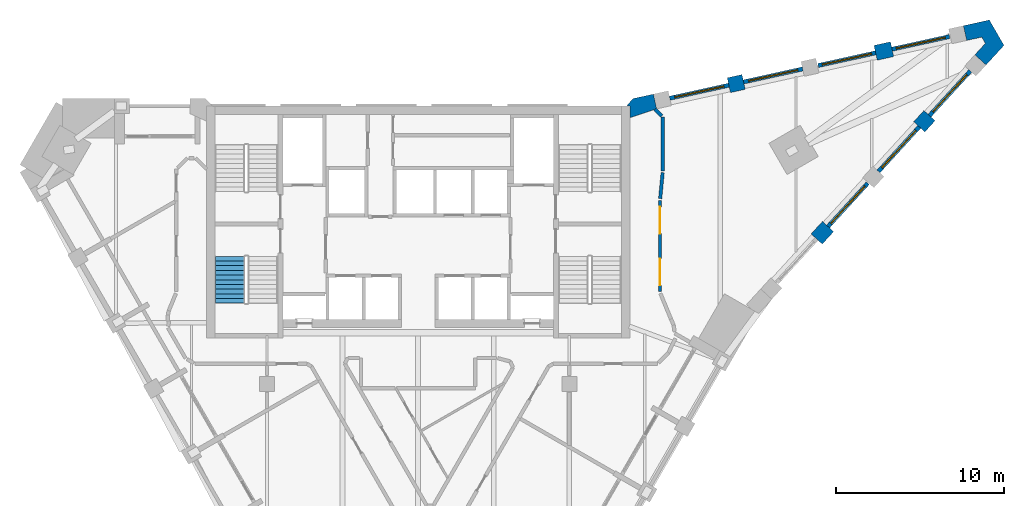
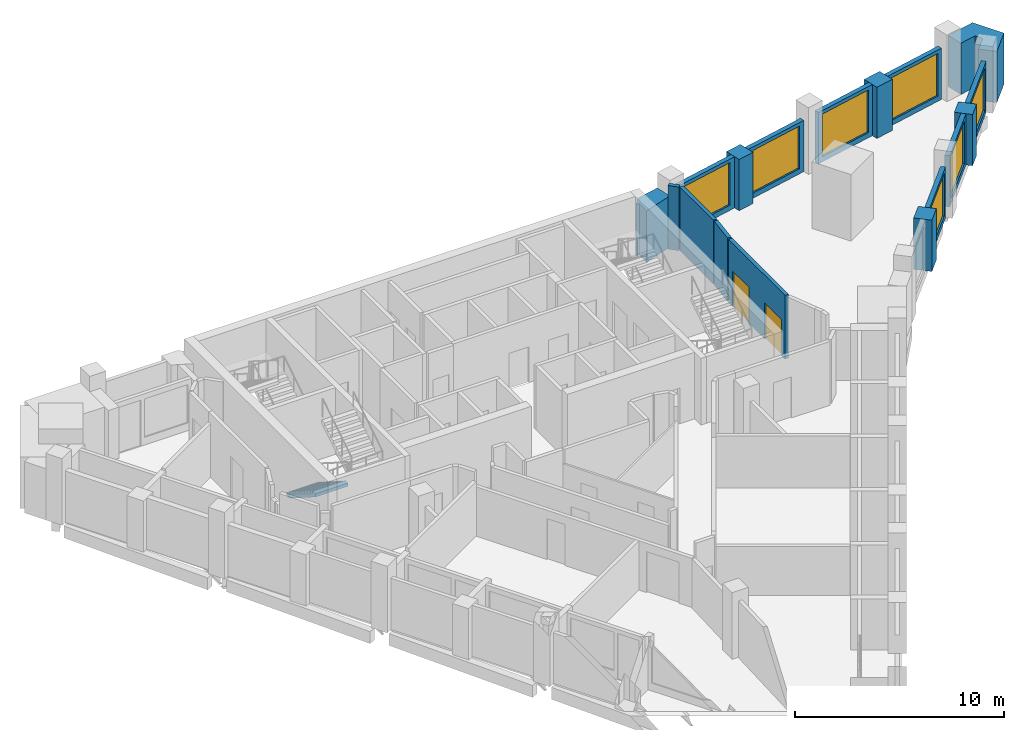
# One storey, part 7 of 9: 17 walls, 7 windows, 2 doors, 1 stair flight, 9 openings, 1 element without a shape of its own.
"""IFC4 building model written with IfcOpenShell, lengths in metres."""

from ifc_helpers import new_model, si_unit, direction, frame, frame_2d, origin, place, context, subcontext, project, spatial, polyline, rectangle, outline, extrude, faceted_brep, source, transform, mapped, material, layer, layer_set, type_object, element, fill, aggregate, save


model = new_model("IFC4")

# Units and contexts
model_context = context("Model", 3, precision=1e-05, world=origin(), true_north=direction((0.0, 1.0)))
body_context = subcontext(model_context, "Body", "Model", "MODEL_VIEW")
ifc_project = project(units=[si_unit("LENGTHUNIT", "METRE"), si_unit("AREAUNIT", "SQUARE_METRE"), si_unit("VOLUMEUNIT", "CUBIC_METRE"), si_unit("PLANEANGLEUNIT", "RADIAN"), si_unit("MASSUNIT", "GRAM", prefix="KILO")], contexts=[model_context])

# Site, building, storey
site_placement = place(None, origin())
site = spatial("IfcSite", under=ifc_project, at=site_placement, CompositionType="ELEMENT")
building_placement = place(site_placement, origin())
building = spatial("IfcBuilding", under=site, at=building_placement, Name="Calabash Gate Tower", CompositionType="ELEMENT")
storey_placement = place(building_placement, frame((0.0, 0.0, 283.300048828125)))
storey = spatial("IfcBuildingStorey", under=building, at=storey_placement, Name="L68", CompositionType="ELEMENT", Elevation=283.300048828125)

# Walls
ifc_material_1 = material(Name="Terracotta brick masonry, exposed face", Category="masonry")
ifc_layer_1 = layer(ifc_material_1, 0.89990234375)
ifc_layer_set_1 = layer_set([ifc_layer_1], Name="Brick end wall 900")
wall_type_1 = type_object("IfcWallType", Name="Brick end wall 900", PredefinedType="SOLIDWALL", material=ifc_layer_set_1)
wall_1_placement = place(storey_placement, frame((23.728515625, 11.135009765625, 0.0), z_axis=(0.0, 0.0, 1.0), x_axis=(0.674788120713, 0.738011512203, 0.0)))
element("IfcWall", 1, at=wall_1_placement, inside=storey, type_object=wall_type_1, Name="Brick pier S20 wedge3.1", PredefinedType="SOLIDWALL", context=body_context, shape_type="SweptSolid", body=[
    extrude(rectangle(XDim=1.00390625, YDim=0.89990234375, at=frame_2d((0.501953125, 0.0))), origin(), (0.0, 0.0, 1.0), 3.0),
])
wall_2_placement = place(storey_placement, frame((30.44482421875, 18.47900390625, 0.0), z_axis=(0.0, 0.0, 1.0), x_axis=(-0.674938051731, -0.737874397391, 0.0)))
element("IfcWall", 2, at=wall_2_placement, inside=storey, type_object=wall_type_1, Name="Brick pier S20 wedge3.3", PredefinedType="SOLIDWALL", context=body_context, shape_type="SweptSolid", body=[
    extrude(rectangle(XDim=0.89990234375, YDim=0.89990234375, at=frame_2d((0.449951171875, 0.0))), origin(), (0.0, 0.0, 1.0), 3.0),
])
wall_3_placement = place(storey_placement, frame((28.21728515625, 22.436279296875, 0.0), z_axis=(0.0, 0.0, 1.0), x_axis=(-0.97656888558, -0.215205045752, 0.0)))
element("IfcWall", 3, at=wall_3_placement, inside=storey, type_object=wall_type_1, Name="Brick pier S20 wedge5.1", PredefinedType="SOLIDWALL", context=body_context, shape_type="SweptSolid", body=[
    extrude(rectangle(XDim=1.00390625, YDim=0.89990234375, at=frame_2d((0.501953125, 0.0))), origin(), (0.0, 0.0, 1.0), 3.0),
])
wall_4_placement = place(storey_placement, frame((18.4990234375, 20.2919921875, 0.0), z_axis=(0.0, 0.0, 1.0), x_axis=(0.976473402733, 0.215637876437, 0.0)))
element("IfcWall", 4, at=wall_4_placement, inside=storey, type_object=wall_type_1, Name="Brick pier S20 wedge5.3", PredefinedType="SOLIDWALL", context=body_context, shape_type="SweptSolid", body=[
    extrude(rectangle(XDim=0.900146484375, YDim=0.89990234375, at=frame_2d((0.4501953125, 0.0))), origin(), (0.0, 0.0, 1.0), 3.0),
])
wall_5_placement = place(storey_placement, origin())
element("IfcWall", 5, at=wall_5_placement, inside=storey, type_object=wall_type_1, Name="Brick end wall S20 2", PredefinedType="SOLIDWALL", context=body_context, shape_type="SweptSolid", body=[
    extrude(outline(polyline([(33.813720703125, 21.496337890625), (34.881591796875, 22.663818359375), (34.0087890625, 24.175048828125), (32.4638671875, 23.834228515625), (32.65771484375, 22.955322265625), (33.55908203125, 23.154296875), (33.7724609375, 22.78466796875), (33.149658203125, 22.103759765625), (33.813720703125, 21.496337890625)])), origin(), (0.0, 0.0, 1.0), 3.0),
])
wall_6_placement = place(storey_placement, origin())
element("IfcWall", 6, at=wall_6_placement, inside=storey, type_object=wall_type_1, Name="Brick end wall S20 3", PredefinedType="SOLIDWALL", context=body_context, shape_type="SweptSolid", body=[
    extrude(outline(polyline([(14.201416015625, 18.883056640625), (14.0078125, 19.761962890625), (12.784423828125, 19.491943359375), (12.410400390625, 19.052490234375), (12.60009765625, 19.052490234375), (12.60009765625, 18.351806640625), (14.201416015625, 18.883056640625)])), origin(), (0.0, 0.0, 1.0), 3.0),
])

# Wall, openings, doors
ifc_material_2 = material(Name="Gypsum board on steel studs, mineral wool", Category="steel")
ifc_layer_2 = layer(ifc_material_2, 0.199951171875)
ifc_layer_set_2 = layer_set([ifc_layer_2], Name="Partition 200 gypsum board EI 60")
wall_type_2 = type_object("IfcWallType", Name="Partition 200 gypsum board EI 60", PredefinedType="PARTITIONING", material=ifc_layer_set_2)
wall_7_placement = place(storey_placement, frame((14.400390625, 8.017333984375, 0.0), z_axis=(0.0, 0.0, 1.0), x_axis=(0.0, 1.0, 0.0)))
wall_7 = element("IfcWall", 7, at=wall_7_placement, inside=storey, type_object=wall_type_2, Name="Partition", PredefinedType="PARTITIONING", context=body_context, shape_type="SweptSolid", body=[
    extrude(rectangle(XDim=5.419189453125, YDim=0.199951171875, at=frame_2d((2.70947265625, 0.0))), origin(), (0.0, 0.0, 1.0), 3.72998046875),
])
opening_1_placement = place(wall_7_placement, frame((3.435302734375, 0.0, 0.0)))
opening_1 = element("IfcOpeningElement", 8, at=opening_1_placement, cuts=wall_7, Name="Opening 67-68-006", PredefinedType="OPENING", context=body_context, shape_type="SweptSolid", body=[
    extrude(rectangle(XDim=1.60009765625, YDim=2.10009765625, at=frame_2d((0.800048828125, 1.050048828125))), frame((0.0, 0.10986328125, 0.0), z_axis=(0.0, -1.0, 0.0), x_axis=(1.0, 0.0, 0.0)), (0.0, 0.0, 1.0), 0.219970703125),
])
opening_2_placement = place(wall_7_placement, frame((0.35009765625, 0.0, 0.0)))
opening_2 = element("IfcOpeningElement", 9, at=opening_2_placement, cuts=wall_7, Name="Opening 67-68-007", PredefinedType="OPENING", context=body_context, shape_type="SweptSolid", body=[
    extrude(rectangle(XDim=1.60009765625, YDim=2.10009765625, at=frame_2d((0.800048828125, 1.050048828125))), frame((0.0, 0.10986328125, 0.0), z_axis=(0.0, -1.0, 0.0), x_axis=(1.0, 0.0, 0.0)), (0.0, 0.0, 1.0), 0.219970703125),
])
ifc_material_3 = material(Name="Steel fire door set with fire-resisting glazing", Category="steel")
door_type = type_object("IfcDoorType", Name="LD1 Lounge double door 1600x2100", OperationType="NOTDEFINED", PredefinedType="DOOR", material=ifc_material_3)
door_1_placement = place(opening_1_placement, origin())
door_1 = element("IfcDoor", 10, at=door_1_placement, inside=storey, type_object=door_type, Name="Lounge double door", OperationType="DOUBLE_DOOR_SINGLE_SWING", OverallHeight=2.10009765625, OverallWidth=1.60009765625, PredefinedType="DOOR", context=body_context, shape_type="SweptSolid", body=[
    extrude(rectangle(XDim=1.60009765625, YDim=2.10009765625, at=frame_2d((0.800048828125, 1.050048828125))), frame((0.0, 0.02490234375, 0.0), z_axis=(0.0, -1.0, 0.0), x_axis=(1.0, 0.0, 0.0)), (0.0, 0.0, 1.0), 0.050048828125),
])
fill(opening_1, door_1)
door_2_placement = place(opening_2_placement, origin())
door_2 = element("IfcDoor", 11, at=door_2_placement, inside=storey, type_object=door_type, Name="Lounge double door", OperationType="DOUBLE_DOOR_SINGLE_SWING", OverallHeight=2.10009765625, OverallWidth=1.60009765625, PredefinedType="DOOR", context=body_context, shape_type="SweptSolid", body=[
    extrude(rectangle(XDim=1.60009765625, YDim=2.10009765625, at=frame_2d((0.800048828125, 1.050048828125))), frame((0.0, 0.02490234375, 0.0), z_axis=(0.0, -1.0, 0.0), x_axis=(1.0, 0.0, 0.0)), (0.0, 0.0, 1.0), 0.050048828125),
])
fill(opening_2, door_2)

# Walls
wall_8_placement = place(storey_placement, frame((14.409912109375, 13.5361328125, 0.0), z_axis=(0.0, 0.0, 1.0), x_axis=(0.094453682086, 0.9955292572, 0.0)))
element("IfcWall", 12, at=wall_8_placement, inside=storey, type_object=wall_type_2, Name="Partition", PredefinedType="PARTITIONING", context=body_context, shape_type="SweptSolid", body=[
    extrude(rectangle(XDim=1.555908203125, YDim=0.199951171875, at=frame_2d((0.77783203125, 0.0))), origin(), (0.0, 0.0, 1.0), 3.72998046875),
])
wall_9_placement = place(storey_placement, frame((14.566162109375, 18.392578125, 0.0), z_axis=(0.0, 0.0, 1.0), x_axis=(0.0, -1.0, 0.0)))
element("IfcWall", 13, at=wall_9_placement, inside=storey, type_object=wall_type_2, Name="Partition", PredefinedType="PARTITIONING", context=body_context, shape_type="SweptSolid", body=[
    extrude(rectangle(XDim=3.2080078125, YDim=0.199951171875, at=frame_2d((1.60400390625, 0.0))), origin(), (0.0, 0.0, 1.0), 3.72998046875),
])
wall_10_placement = place(storey_placement, frame((14.107177734375, 18.851806640625, 0.0), z_axis=(0.0, 0.0, 1.0), x_axis=(0.707106781187, -0.707106781187, 0.0)))
element("IfcWall", 14, at=wall_10_placement, inside=storey, type_object=wall_type_2, Name="Partition", PredefinedType="PARTITIONING", context=body_context, shape_type="SweptSolid", body=[
    extrude(rectangle(XDim=0.54931640625, YDim=0.199951171875, at=frame_2d((0.274658203125, 0.0))), origin(), (0.0, 0.0, 1.0), 3.72998046875),
])

# Wall, opening, window
ifc_material_4 = material(Name="Aluminium framed window wall with insulated spandrel", Category="aluminium")
ifc_layer_3 = layer(ifc_material_4, 0.25)
ifc_layer_set_3 = layer_set([ifc_layer_3], Name="Prow window wall 250")
wall_type_3 = type_object("IfcWallType", Name="Prow window wall 250", PredefinedType="ELEMENTEDWALL", material=ifc_layer_set_3)
wall_11_placement = place(storey_placement, frame((24.40478515625, 11.87451171875, 0.0), z_axis=(0.0, 0.0, 1.0), x_axis=(0.67487449122, 0.737932531537, 0.0)))
wall_11 = element("IfcWall", 15, at=wall_11_placement, inside=storey, type_object=wall_type_3, Name="Prow window wall S20 wedge3.2", PredefinedType="ELEMENTEDWALL", context=body_context, shape_type="SweptSolid", body=[
    extrude(rectangle(XDim=3.5, YDim=0.25, at=frame_2d((1.75, 0.0))), origin(), (0.0, 0.0, 1.0), 3.0),
])
opening_3_placement = place(wall_11_placement, frame((0.25, 0.0, 0.300048828125)))
opening_3 = element("IfcOpeningElement", 16, at=opening_3_placement, cuts=wall_11, Name="Opening WP2", PredefinedType="OPENING", context=body_context, shape_type="SweptSolid", body=[
    extrude(rectangle(XDim=3.0, YDim=2.5, at=frame_2d((1.5, 1.25))), frame((0.0, 0.135009765625, 0.0), z_axis=(0.0, -1.0, 0.0), x_axis=(1.0, 0.0, 0.0)), (0.0, 0.0, 1.0), 0.27001953125),
])
ifc_material_5 = material(Name="Anodised aluminium frame, bronze finish, impact-rated laminated clear glazing", Category="aluminium")
window_type = type_object("IfcWindowType", Name="Window WP2 3000x2500", PartitioningType="DOUBLE_PANEL_VERTICAL", PredefinedType="WINDOW", material=ifc_material_5)
window_1_placement = place(opening_3_placement, origin())
window_1 = element("IfcWindow", 17, at=window_1_placement, inside=storey, type_object=window_type, Name="Prow window WP2 S20 wedge3.2", OverallHeight=2.5, OverallWidth=3.0, PartitioningType="SINGLE_PANEL", PredefinedType="WINDOW", context=body_context, shape_type="SweptSolid", body=[
    extrude(rectangle(XDim=3.0, YDim=2.5, at=frame_2d((1.5, 1.25))), frame((0.0, 0.030029296875, 0.0), z_axis=(0.0, -1.0, 0.0), x_axis=(1.0, 0.0, 0.0)), (0.0, 0.0, 1.0), 0.06005859375),
])
fill(opening_3, window_1)

wall_12_placement = place(storey_placement, frame((27.407958984375, 15.158203125, 0.0), z_axis=(0.0, 0.0, 1.0), x_axis=(0.674833575111, 0.737969949187, 0.0)))
wall_12 = element("IfcWall", 18, at=wall_12_placement, inside=storey, type_object=wall_type_3, Name="Prow window wall S20 wedge3.3", PredefinedType="ELEMENTEDWALL", context=body_context, shape_type="SweptSolid", body=[
    extrude(rectangle(XDim=3.60009765625, YDim=0.25, at=frame_2d((1.800048828125, 0.0))), origin(), (0.0, 0.0, 1.0), 3.0),
])
opening_4_placement = place(wall_12_placement, frame((0.300048828125, 0.0, 0.300048828125)))
opening_4 = element("IfcOpeningElement", 19, at=opening_4_placement, cuts=wall_12, Name="Opening WP2", PredefinedType="OPENING", context=body_context, shape_type="SweptSolid", body=[
    extrude(rectangle(XDim=3.0, YDim=2.5, at=frame_2d((1.5, 1.25))), frame((0.0, 0.135009765625, 0.0), z_axis=(0.0, -1.0, 0.0), x_axis=(1.0, 0.0, 0.0)), (0.0, 0.0, 1.0), 0.27001953125),
])
window_2_placement = place(opening_4_placement, origin())
window_2 = element("IfcWindow", 20, at=window_2_placement, inside=storey, type_object=window_type, Name="Prow window WP2 S20 wedge3.3", OverallHeight=2.5, OverallWidth=3.0, PartitioningType="SINGLE_PANEL", PredefinedType="WINDOW", context=body_context, shape_type="SweptSolid", body=[
    extrude(rectangle(XDim=3.0, YDim=2.5, at=frame_2d((1.5, 1.25))), frame((0.0, 0.030029296875, 0.0), z_axis=(0.0, -1.0, 0.0), x_axis=(1.0, 0.0, 0.0)), (0.0, 0.0, 1.0), 0.06005859375),
])
fill(opening_4, window_2)

wall_13_placement = place(storey_placement, frame((30.44482421875, 18.47900390625, 0.0), z_axis=(0.0, 0.0, 1.0), x_axis=(0.674833575111, 0.737969949187, 0.0)))
wall_13 = element("IfcWall", 21, at=wall_13_placement, inside=storey, type_object=wall_type_3, Name="Prow window wall S20 wedge3.4", PredefinedType="ELEMENTEDWALL", context=body_context, shape_type="SweptSolid", body=[
    extrude(rectangle(XDim=3.60009765625, YDim=0.25, at=frame_2d((1.800048828125, 0.0))), origin(), (0.0, 0.0, 1.0), 3.0),
])
opening_5_placement = place(wall_13_placement, frame((0.300048828125, 0.0, 0.300048828125)))
opening_5 = element("IfcOpeningElement", 22, at=opening_5_placement, cuts=wall_13, Name="Opening WP2", PredefinedType="OPENING", context=body_context, shape_type="SweptSolid", body=[
    extrude(rectangle(XDim=3.0, YDim=2.5, at=frame_2d((1.5, 1.25))), frame((0.0, 0.135009765625, 0.0), z_axis=(0.0, -1.0, 0.0), x_axis=(1.0, 0.0, 0.0)), (0.0, 0.0, 1.0), 0.27001953125),
])
window_3_placement = place(opening_5_placement, origin())
window_3 = element("IfcWindow", 23, at=window_3_placement, inside=storey, type_object=window_type, Name="Prow window WP2 S20 wedge3.4", OverallHeight=2.5, OverallWidth=3.0, PartitioningType="SINGLE_PANEL", PredefinedType="WINDOW", context=body_context, shape_type="SweptSolid", body=[
    extrude(rectangle(XDim=3.0, YDim=2.5, at=frame_2d((1.5, 1.25))), frame((0.0, 0.030029296875, 0.0), z_axis=(0.0, -1.0, 0.0), x_axis=(1.0, 0.0, 0.0)), (0.0, 0.0, 1.0), 0.06005859375),
])
fill(opening_5, window_3)

wall_14_placement = place(storey_placement, frame((31.633056640625, 23.190185546875, 0.0), z_axis=(0.0, 0.0, 1.0), x_axis=(-0.976509313763, -0.215475196101, 0.0)))
wall_14 = element("IfcWall", 24, at=wall_14_placement, inside=storey, type_object=wall_type_3, Name="Prow window wall S20 wedge5.1", PredefinedType="ELEMENTEDWALL", context=body_context, shape_type="SweptSolid", body=[
    extrude(rectangle(XDim=3.5, YDim=0.25, at=frame_2d((1.75, 0.0))), origin(), (0.0, 0.0, 1.0), 3.0),
])
opening_6_placement = place(wall_14_placement, frame((0.25, 0.0, 0.300048828125)))
opening_6 = element("IfcOpeningElement", 25, at=opening_6_placement, cuts=wall_14, Name="Opening WP2", PredefinedType="OPENING", context=body_context, shape_type="SweptSolid", body=[
    extrude(rectangle(XDim=3.0, YDim=2.5, at=frame_2d((1.5, 1.25))), frame((0.0, 0.135009765625, 0.0), z_axis=(0.0, -1.0, 0.0), x_axis=(1.0, 0.0, 0.0)), (0.0, 0.0, 1.0), 0.27001953125),
])
window_4_placement = place(opening_6_placement, origin())
window_4 = element("IfcWindow", 26, at=window_4_placement, inside=storey, type_object=window_type, Name="Prow window WP2 S20 wedge5.1", OverallHeight=2.5, OverallWidth=3.0, PartitioningType="SINGLE_PANEL", PredefinedType="WINDOW", context=body_context, shape_type="SweptSolid", body=[
    extrude(rectangle(XDim=3.0, YDim=2.5, at=frame_2d((1.5, 1.25))), frame((0.0, 0.030029296875, 0.0), z_axis=(0.0, -1.0, 0.0), x_axis=(1.0, 0.0, 0.0)), (0.0, 0.0, 1.0), 0.06005859375),
])
fill(opening_6, window_4)

wall_15_placement = place(storey_placement, frame((27.23876953125, 22.220458984375, 0.0), z_axis=(0.0, 0.0, 1.0), x_axis=(-0.976509313763, -0.215475196101, 0.0)))
wall_15 = element("IfcWall", 27, at=wall_15_placement, inside=storey, type_object=wall_type_3, Name="Prow window wall S20 wedge5.2", PredefinedType="ELEMENTEDWALL", context=body_context, shape_type="SweptSolid", body=[
    extrude(rectangle(XDim=3.5, YDim=0.25, at=frame_2d((1.75, 0.0))), origin(), (0.0, 0.0, 1.0), 3.0),
])
opening_7_placement = place(wall_15_placement, frame((0.25, 0.0, 0.300048828125)))
opening_7 = element("IfcOpeningElement", 28, at=opening_7_placement, cuts=wall_15, Name="Opening WP2", PredefinedType="OPENING", context=body_context, shape_type="SweptSolid", body=[
    extrude(rectangle(XDim=3.0, YDim=2.5, at=frame_2d((1.5, 1.25))), frame((0.0, 0.135009765625, 0.0), z_axis=(0.0, -1.0, 0.0), x_axis=(1.0, 0.0, 0.0)), (0.0, 0.0, 1.0), 0.27001953125),
])
window_5_placement = place(opening_7_placement, origin())
window_5 = element("IfcWindow", 29, at=window_5_placement, inside=storey, type_object=window_type, Name="Prow window WP2 S20 wedge5.2", OverallHeight=2.5, OverallWidth=3.0, PartitioningType="SINGLE_PANEL", PredefinedType="WINDOW", context=body_context, shape_type="SweptSolid", body=[
    extrude(rectangle(XDim=3.0, YDim=2.5, at=frame_2d((1.5, 1.25))), frame((0.0, 0.030029296875, 0.0), z_axis=(0.0, -1.0, 0.0), x_axis=(1.0, 0.0, 0.0)), (0.0, 0.0, 1.0), 0.06005859375),
])
fill(opening_7, window_5)

wall_16_placement = place(storey_placement, frame((22.893310546875, 21.26171875, 0.0), z_axis=(0.0, 0.0, 1.0), x_axis=(-0.976513072969, -0.215458159096, 0.0)))
wall_16 = element("IfcWall", 30, at=wall_16_placement, inside=storey, type_object=wall_type_3, Name="Prow window wall S20 wedge5.3", PredefinedType="ELEMENTEDWALL", context=body_context, shape_type="SweptSolid", body=[
    extrude(rectangle(XDim=3.599853515625, YDim=0.25, at=frame_2d((1.7998046875, 0.0))), origin(), (0.0, 0.0, 1.0), 3.0),
])
opening_8_placement = place(wall_16_placement, frame((0.300048828125, 0.0, 0.300048828125)))
opening_8 = element("IfcOpeningElement", 31, at=opening_8_placement, cuts=wall_16, Name="Opening WP2", PredefinedType="OPENING", context=body_context, shape_type="SweptSolid", body=[
    extrude(rectangle(XDim=3.0, YDim=2.5, at=frame_2d((1.5, 1.25))), frame((0.0, 0.135009765625, 0.0), z_axis=(0.0, -1.0, 0.0), x_axis=(1.0, 0.0, 0.0)), (0.0, 0.0, 1.0), 0.27001953125),
])
window_6_placement = place(opening_8_placement, origin())
window_6 = element("IfcWindow", 32, at=window_6_placement, inside=storey, type_object=window_type, Name="Prow window WP2 S20 wedge5.3", OverallHeight=2.5, OverallWidth=3.0, PartitioningType="SINGLE_PANEL", PredefinedType="WINDOW", context=body_context, shape_type="SweptSolid", body=[
    extrude(rectangle(XDim=3.0, YDim=2.5, at=frame_2d((1.5, 1.25))), frame((0.0, 0.030029296875, 0.0), z_axis=(0.0, -1.0, 0.0), x_axis=(1.0, 0.0, 0.0)), (0.0, 0.0, 1.0), 0.06005859375),
])
fill(opening_8, window_6)

wall_17_placement = place(storey_placement, frame((18.4990234375, 20.2919921875, 0.0), z_axis=(0.0, 0.0, 1.0), x_axis=(-0.976513072969, -0.215458159096, 0.0)))
wall_17 = element("IfcWall", 33, at=wall_17_placement, inside=storey, type_object=wall_type_3, Name="Prow window wall S20 wedge5.4", PredefinedType="ELEMENTEDWALL", context=body_context, shape_type="SweptSolid", body=[
    extrude(rectangle(XDim=3.599853515625, YDim=0.25, at=frame_2d((1.7998046875, 0.0))), origin(), (0.0, 0.0, 1.0), 3.0),
])
opening_9_placement = place(wall_17_placement, frame((0.300048828125, 0.0, 0.300048828125)))
opening_9 = element("IfcOpeningElement", 34, at=opening_9_placement, cuts=wall_17, Name="Opening WP2", PredefinedType="OPENING", context=body_context, shape_type="SweptSolid", body=[
    extrude(rectangle(XDim=3.0, YDim=2.5, at=frame_2d((1.5, 1.25))), frame((0.0, 0.135009765625, 0.0), z_axis=(0.0, -1.0, 0.0), x_axis=(1.0, 0.0, 0.0)), (0.0, 0.0, 1.0), 0.27001953125),
])
window_7_placement = place(opening_9_placement, origin())
window_7 = element("IfcWindow", 35, at=window_7_placement, inside=storey, type_object=window_type, Name="Prow window WP2 S20 wedge5.4", OverallHeight=2.5, OverallWidth=3.0, PartitioningType="SINGLE_PANEL", PredefinedType="WINDOW", context=body_context, shape_type="SweptSolid", body=[
    extrude(rectangle(XDim=3.0, YDim=2.5, at=frame_2d((1.5, 1.25))), frame((0.0, 0.030029296875, 0.0), z_axis=(0.0, -1.0, 0.0), x_axis=(1.0, 0.0, 0.0)), (0.0, 0.0, 1.0), 0.06005859375),
])
fill(opening_9, window_7)

# Stair, stair flight
ifc_material_6 = material(Name="Concrete C40/50", Category="concrete")
stair_type = type_object("IfcStairType", Name="Exit stair 22 risers of 177.3 mm", PredefinedType="HALF_TURN_STAIR", material=ifc_material_6)
stair_placement = place(storey_placement, origin())
stair = element("IfcStair", 36, at=stair_placement, inside=storey, type_object=stair_type, Name="L68 Exit stair ST2", PredefinedType="HALF_TURN_STAIR")
ifc_material_7 = material(Name="Concrete C40/50", Category="concrete")
stair_flight_type = type_object("IfcStairFlightType", Name="Exit stair flight SFL", PredefinedType="STRAIGHT", material=ifc_material_7)
shared_shape = source(origin(), body_context, "Body", "Brep", [
    faceted_brep([(-0.0009765625, -0.89990234375, 0.0), (0.279541015625, -0.89990234375, 0.0), (2.791015625, -0.89990234375, 1.59521484375), (-0.0009765625, 0.89990234375, 0.0), (2.791015625, 0.89990234375, 1.59521484375), (0.279541015625, 0.89990234375, 0.0), (2.791015625, -0.89990234375, 1.78466796875), (2.7900390625, -0.89990234375, 1.78466796875), (2.7900390625, 0.89990234375, 1.78466796875), (2.791015625, 0.89990234375, 1.78466796875), (2.7900390625, -0.89990234375, 1.772705078125), (2.7900390625, 0.89990234375, 1.772705078125), (2.510986328125, -0.89990234375, 1.772705078125), (2.510986328125, 0.89990234375, 1.772705078125), (2.510986328125, -0.89990234375, 1.595458984375), (2.510986328125, 0.89990234375, 1.595458984375), (2.23193359375, -0.89990234375, 1.595458984375), (2.23193359375, 0.89990234375, 1.595458984375), (2.23193359375, -0.89990234375, 1.418212890625), (2.23193359375, 0.89990234375, 1.418212890625), (1.952880859375, -0.89990234375, 1.418212890625), (1.952880859375, -0.89990234375, 1.240966796875), (1.952880859375, 0.89990234375, 1.240966796875), (1.952880859375, 0.89990234375, 1.418212890625), (1.674072265625, -0.89990234375, 1.240966796875), (1.674072265625, -0.89990234375, 1.063720703125), (1.674072265625, 0.89990234375, 1.063720703125), (1.674072265625, 0.89990234375, 1.240966796875), (1.39501953125, -0.89990234375, 1.063720703125), (1.39501953125, -0.89990234375, 0.886474609375), (1.39501953125, 0.89990234375, 0.886474609375), (1.39501953125, 0.89990234375, 1.063720703125), (1.115966796875, -0.89990234375, 0.886474609375), (1.115966796875, -0.89990234375, 0.708984375), (1.115966796875, 0.89990234375, 0.708984375), (1.115966796875, 0.89990234375, 0.886474609375), (0.8369140625, -0.89990234375, 0.708984375), (0.8369140625, -0.89990234375, 0.53173828125), (0.8369140625, 0.89990234375, 0.53173828125), (0.8369140625, 0.89990234375, 0.708984375), (0.55810546875, -0.89990234375, 0.53173828125), (0.55810546875, -0.89990234375, 0.3544921875), (0.55810546875, 0.89990234375, 0.3544921875), (0.55810546875, 0.89990234375, 0.53173828125), (0.279052734375, -0.89990234375, 0.3544921875), (0.279052734375, -0.89990234375, 0.17724609375), (0.279052734375, 0.89990234375, 0.17724609375), (0.279052734375, 0.89990234375, 0.3544921875), (-0.0009765625, -0.89990234375, 0.17724609375), (-0.0009765625, 0.89990234375, 0.17724609375), (0.279541015625, -0.360107421875, 0.0), (2.791015625, -0.360107421875, 1.59521484375), (0.279541015625, 0.0, 0.0), (2.791015625, 0.0, 1.59521484375), (0.279541015625, 0.360107421875, 0.0), (2.791015625, 0.360107421875, 1.59521484375), (2.791015625, -0.360107421875, 1.78466796875), (2.791015625, 0.0, 1.78466796875), (2.791015625, 0.360107421875, 1.78466796875), (2.7900390625, -0.360107421875, 1.78466796875), (2.7900390625, 0.0, 1.78466796875), (2.7900390625, 0.360107421875, 1.78466796875), (2.7900390625, -0.360107421875, 1.772705078125), (2.7900390625, 0.0, 1.772705078125), (2.7900390625, 0.360107421875, 1.772705078125), (2.510986328125, -0.360107421875, 1.772705078125), (2.510986328125, 0.0, 1.772705078125), (2.510986328125, 0.360107421875, 1.772705078125), (2.510986328125, -0.360107421875, 1.595458984375), (2.510986328125, 0.0, 1.595458984375), (2.510986328125, 0.360107421875, 1.595458984375), (2.23193359375, -0.360107421875, 1.595458984375), (2.23193359375, 0.0, 1.595458984375), (2.23193359375, 0.360107421875, 1.595458984375), (2.23193359375, -0.360107421875, 1.418212890625), (2.23193359375, 0.0, 1.418212890625), (2.23193359375, 0.360107421875, 1.418212890625), (1.952880859375, -0.360107421875, 1.418212890625), (1.952880859375, 0.0, 1.418212890625), (1.952880859375, 0.360107421875, 1.418212890625), (1.952880859375, -0.360107421875, 1.240966796875), (1.952880859375, 0.0, 1.240966796875), (1.952880859375, 0.360107421875, 1.240966796875), (1.674072265625, -0.360107421875, 1.240966796875), (1.674072265625, 0.0, 1.240966796875), (1.674072265625, 0.360107421875, 1.240966796875), (1.674072265625, -0.360107421875, 1.063720703125), (1.674072265625, 0.0, 1.063720703125), (1.674072265625, 0.360107421875, 1.063720703125), (1.39501953125, -0.360107421875, 1.063720703125), (1.39501953125, 0.0, 1.063720703125), (1.39501953125, 0.360107421875, 1.063720703125), (1.39501953125, -0.360107421875, 0.886474609375), (1.39501953125, 0.0, 0.886474609375), (1.39501953125, 0.360107421875, 0.886474609375), (1.115966796875, -0.360107421875, 0.886474609375), (1.115966796875, 0.0, 0.886474609375), (1.115966796875, 0.360107421875, 0.886474609375), (1.115966796875, -0.360107421875, 0.708984375), (1.115966796875, 0.0, 0.708984375), (1.115966796875, 0.360107421875, 0.708984375), (0.8369140625, -0.360107421875, 0.708984375), (0.8369140625, 0.0, 0.708984375), (0.8369140625, 0.360107421875, 0.708984375), (0.8369140625, -0.360107421875, 0.53173828125), (0.8369140625, 0.0, 0.53173828125), (0.8369140625, 0.360107421875, 0.53173828125), (0.55810546875, -0.360107421875, 0.53173828125), (0.55810546875, 0.0, 0.53173828125), (0.55810546875, 0.360107421875, 0.53173828125), (0.55810546875, -0.360107421875, 0.3544921875), (0.55810546875, 0.0, 0.3544921875), (0.55810546875, 0.360107421875, 0.3544921875), (0.279052734375, -0.360107421875, 0.3544921875), (0.279052734375, 0.0, 0.3544921875), (0.279052734375, 0.360107421875, 0.3544921875), (0.279052734375, -0.360107421875, 0.17724609375), (0.279052734375, 0.0, 0.17724609375), (0.279052734375, 0.360107421875, 0.17724609375), (-0.0009765625, -0.360107421875, 0.17724609375), (-0.0009765625, 0.0, 0.17724609375), (-0.0009765625, 0.360107421875, 0.17724609375), (-0.0009765625, -0.360107421875, 0.0), (-0.0009765625, 0.0, 0.0), (-0.0009765625, 0.360107421875, 0.0)], [[[0, 1, 2]], [[3, 4, 5]], [[2, 6, 7]], [[4, 8, 9]], [[2, 7, 10]], [[4, 11, 8]], [[2, 10, 12]], [[4, 13, 11]], [[2, 12, 14]], [[4, 15, 13]], [[2, 14, 16]], [[4, 17, 15]], [[2, 16, 18]], [[4, 19, 17]], [[18, 20, 21]], [[19, 22, 23]], [[2, 18, 21]], [[4, 22, 19]], [[21, 24, 25]], [[22, 26, 27]], [[2, 21, 25]], [[4, 26, 22]], [[25, 28, 29]], [[26, 30, 31]], [[2, 25, 29]], [[4, 30, 26]], [[29, 32, 33]], [[30, 34, 35]], [[2, 29, 33]], [[4, 34, 30]], [[33, 36, 37]], [[34, 38, 39]], [[2, 33, 37]], [[4, 38, 34]], [[37, 40, 41]], [[38, 42, 43]], [[2, 37, 41]], [[4, 42, 38]], [[41, 44, 45]], [[42, 46, 47]], [[2, 41, 45]], [[4, 46, 42]], [[0, 2, 45]], [[3, 46, 4]], [[45, 48, 0]], [[46, 3, 49]], [[1, 50, 2]], [[50, 51, 2]], [[50, 52, 51]], [[52, 53, 51]], [[52, 54, 55]], [[52, 55, 53]], [[54, 5, 4]], [[54, 4, 55]], [[2, 51, 6]], [[51, 56, 6]], [[51, 53, 56]], [[53, 57, 56]], [[53, 55, 58]], [[53, 58, 57]], [[55, 4, 9]], [[55, 9, 58]], [[6, 56, 7]], [[56, 59, 7]], [[56, 57, 59]], [[57, 60, 59]], [[57, 58, 61]], [[57, 61, 60]], [[58, 9, 8]], [[58, 8, 61]], [[7, 59, 10]], [[59, 62, 10]], [[59, 60, 62]], [[60, 63, 62]], [[60, 61, 64]], [[60, 64, 63]], [[61, 8, 11]], [[61, 11, 64]], [[10, 62, 12]], [[62, 65, 12]], [[62, 63, 65]], [[63, 66, 65]], [[63, 64, 67]], [[63, 67, 66]], [[64, 11, 13]], [[64, 13, 67]], [[12, 65, 14]], [[65, 68, 14]], [[65, 66, 68]], [[66, 69, 68]], [[66, 67, 70]], [[66, 70, 69]], [[67, 13, 15]], [[67, 15, 70]], [[14, 68, 16]], [[68, 71, 16]], [[68, 69, 71]], [[69, 72, 71]], [[69, 70, 73]], [[69, 73, 72]], [[70, 15, 17]], [[70, 17, 73]], [[16, 71, 18]], [[71, 74, 18]], [[71, 72, 74]], [[72, 75, 74]], [[72, 73, 76]], [[72, 76, 75]], [[73, 17, 19]], [[73, 19, 76]], [[18, 74, 20]], [[74, 77, 20]], [[74, 75, 77]], [[75, 78, 77]], [[75, 76, 79]], [[75, 79, 78]], [[76, 19, 23]], [[76, 23, 79]], [[20, 77, 21]], [[77, 80, 21]], [[77, 78, 80]], [[78, 81, 80]], [[78, 79, 82]], [[78, 82, 81]], [[79, 23, 22]], [[79, 22, 82]], [[21, 80, 24]], [[80, 83, 24]], [[80, 81, 83]], [[81, 84, 83]], [[81, 82, 85]], [[81, 85, 84]], [[82, 22, 27]], [[82, 27, 85]], [[24, 83, 25]], [[83, 86, 25]], [[83, 84, 86]], [[84, 87, 86]], [[84, 85, 88]], [[84, 88, 87]], [[85, 27, 26]], [[85, 26, 88]], [[25, 86, 28]], [[86, 89, 28]], [[86, 87, 89]], [[87, 90, 89]], [[87, 88, 91]], [[87, 91, 90]], [[88, 26, 31]], [[88, 31, 91]], [[28, 89, 29]], [[89, 92, 29]], [[89, 90, 92]], [[90, 93, 92]], [[90, 91, 94]], [[90, 94, 93]], [[91, 31, 30]], [[91, 30, 94]], [[29, 92, 32]], [[92, 95, 32]], [[92, 93, 95]], [[93, 96, 95]], [[93, 94, 97]], [[93, 97, 96]], [[94, 30, 35]], [[94, 35, 97]], [[32, 95, 33]], [[95, 98, 33]], [[95, 96, 98]], [[96, 99, 98]], [[96, 97, 100]], [[96, 100, 99]], [[97, 35, 34]], [[97, 34, 100]], [[33, 98, 36]], [[98, 101, 36]], [[98, 99, 101]], [[99, 102, 101]], [[99, 100, 103]], [[99, 103, 102]], [[100, 34, 39]], [[100, 39, 103]], [[36, 101, 37]], [[101, 104, 37]], [[101, 102, 104]], [[102, 105, 104]], [[102, 103, 106]], [[102, 106, 105]], [[103, 39, 38]], [[103, 38, 106]], [[37, 104, 40]], [[104, 107, 40]], [[104, 105, 107]], [[105, 108, 107]], [[105, 106, 109]], [[105, 109, 108]], [[106, 38, 43]], [[106, 43, 109]], [[40, 107, 41]], [[107, 110, 41]], [[107, 108, 110]], [[108, 111, 110]], [[108, 109, 112]], [[108, 112, 111]], [[109, 43, 42]], [[109, 42, 112]], [[41, 110, 44]], [[110, 113, 44]], [[110, 111, 113]], [[111, 114, 113]], [[111, 112, 115]], [[111, 115, 114]], [[112, 42, 47]], [[112, 47, 115]], [[44, 113, 45]], [[113, 116, 45]], [[113, 114, 116]], [[114, 117, 116]], [[114, 115, 118]], [[114, 118, 117]], [[115, 47, 46]], [[115, 46, 118]], [[45, 116, 48]], [[116, 119, 48]], [[116, 117, 119]], [[117, 120, 119]], [[117, 118, 121]], [[117, 121, 120]], [[118, 46, 49]], [[118, 49, 121]], [[48, 119, 0]], [[119, 122, 0]], [[119, 120, 122]], [[120, 123, 122]], [[120, 121, 124]], [[120, 124, 123]], [[121, 49, 3]], [[121, 3, 124]], [[0, 122, 1]], [[122, 50, 1]], [[122, 123, 50]], [[123, 52, 50]], [[123, 124, 54]], [[123, 54, 52]], [[124, 3, 5]], [[124, 5, 54]]]),
])
stair_flight_placement = place(storey_placement, frame((-11.199951171875, 10.1025390625, 0.0), z_axis=(0.0, 0.0, 1.0), x_axis=(0.0, -1.0, 0.0)))
stair_flight = element("IfcStairFlight", 37, at=stair_flight_placement, type_object=stair_flight_type, Name="ST2 flight 1", NumberOfRisers=11, NumberOfTreads=10, PredefinedType="STRAIGHT", RiserHeight=0.177272727, TreadLength=0.279, context=body_context, shape_type="MappedRepresentation", body=[
    mapped(shared_shape, transform((0.0, 0.0, 0.0), scale=1.0)),
])
aggregate(stair, [stair_flight])

save(model, "model.ifc")
